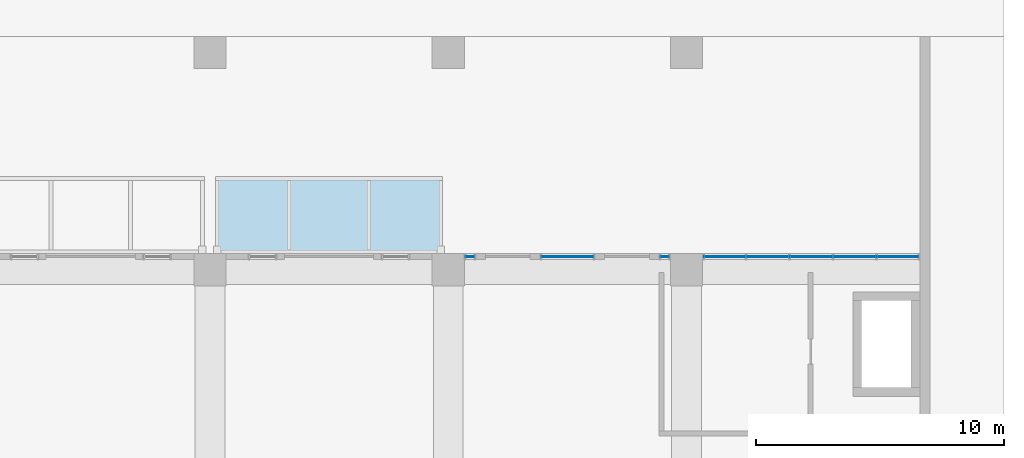
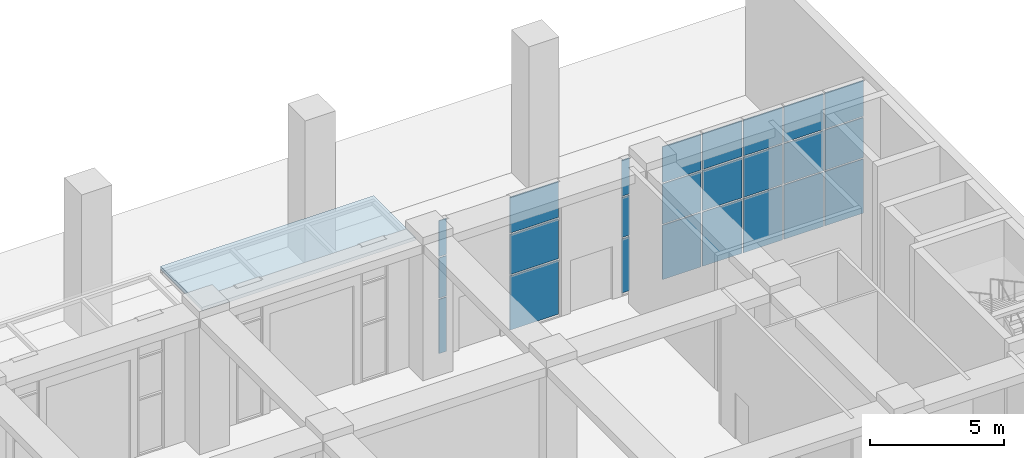
# One storey, part 15 of 45: 25 plates, 4 elements without a shape of their own.
"""IFC4 building model written with IfcOpenShell, lengths in metres."""

from ifc_helpers import new_model, si_unit, direction, frame, origin, origin_2d, place, context, subcontext, project, spatial, rectangle, extrude, material, layer, layer_set, type_object, element, aggregate, save


model = new_model("IFC4")

# Units and contexts
model_context = context("Model", 3, precision=1e-05, world=origin(), true_north=direction((0.0, 1.0)))
body_context = subcontext(model_context, "Body", "Model", "MODEL_VIEW")
ifc_project = project(units=[si_unit("LENGTHUNIT", "METRE"), si_unit("AREAUNIT", "SQUARE_METRE"), si_unit("VOLUMEUNIT", "CUBIC_METRE"), si_unit("PLANEANGLEUNIT", "RADIAN"), si_unit("MASSUNIT", "GRAM", prefix="KILO")], contexts=[model_context])

# Site, building, storey
site_placement = place(None, origin())
site = spatial("IfcSite", under=ifc_project, at=site_placement, CompositionType="ELEMENT")
building_placement = place(site_placement, origin())
building = spatial("IfcBuilding", under=site, at=building_placement, Name="Nzadi Deep Aquarium and Research Tower", CompositionType="ELEMENT")
storey_placement = place(building_placement, origin())
storey = spatial("IfcBuildingStorey", under=building, at=storey_placement, Name="G", CompositionType="ELEMENT", Elevation=0.0)

# Plate
ifc_material_1 = material(Name="Aluminium composite panel, dark graphite", Category="aluminium")
ifc_layer_1 = layer(ifc_material_1, 0.14990234375)
ifc_layer_set_1 = layer_set([ifc_layer_1], Name="Aluminium composite panel, dark graphite")
plate_type_1 = type_object("IfcPlateType", Name="Canopy plate aluminium composite graphite 150", PredefinedType="SHEET", material=ifc_layer_set_1)
plate_1_placement = place(storey_placement, frame((33.60009765625, 133.800048828125, 5.449951171875), z_axis=(0.0, 0.0, 1.0), x_axis=(1.0, 0.0, 0.0)))
element("IfcPlate", 1, at=plate_1_placement, inside=storey, type_object=plate_type_1, Name="Entrance canopy 2", PredefinedType="SHEET", context=body_context, shape_type="SweptSolid", body=[
    extrude(rectangle(XDim=9.14990234375, YDim=3.10009765625, at=origin_2d()), origin(), (0.0, 0.0, 1.0), 0.14990234375),
])

# Curtain wall, plates
ifc_material_2 = material(Name="Aluminium stick frame", Category="aluminium")
ifc_layer_2 = layer(ifc_material_2, 0.25)
ifc_layer_set_2 = layer_set([ifc_layer_2], Name="Aluminium stick frame")
curtain_wall_type = type_object("IfcCurtainWallType", Name="Curtain wall Stick 250", PredefinedType="NOTDEFINED", material=ifc_layer_set_2)
curtain_wall_1_placement = place(storey_placement, origin())
curtain_wall_1 = element("IfcCurtainWall", 2, at=curtain_wall_1_placement, inside=storey, type_object=curtain_wall_type, Name="Lobby stick glazing G", PredefinedType="NOTDEFINED")
ifc_material_3 = material(Name="Glass, deep ocean tint", Category="glass")
ifc_layer_3 = layer(ifc_material_3, 0.031982421875)
ifc_layer_set_3 = layer_set([ifc_layer_3], Name="Glass, deep ocean tint")
plate_type_2 = type_object("IfcPlateType", Name="Glazing panel 32 Stick", PredefinedType="CURTAIN_PANEL", material=ifc_layer_set_3)
plate_2_placement = place(storey_placement, frame((39.27490234375, 132.125, 0.06005859375), z_axis=(0.0, 0.0, 1.0), x_axis=(1.0, 0.0, 0.0)))
plate_2 = element("IfcPlate", 3, at=plate_2_placement, type_object=plate_type_2, Name="CW241 panel 1.1", PredefinedType="CURTAIN_PANEL", context=body_context, shape_type="SweptSolid", body=[
    extrude(rectangle(XDim=0.330078125, YDim=0.031982421875, at=origin_2d()), origin(), (0.0, 0.0, 1.0), 2.4599609375),
])
plate_3_placement = place(storey_placement, frame((39.27490234375, 132.125, 2.580078125), z_axis=(0.0, 0.0, 1.0), x_axis=(1.0, 0.0, 0.0)))
plate_3 = element("IfcPlate", 4, at=plate_3_placement, type_object=plate_type_2, Name="CW241 panel 1.2", PredefinedType="CURTAIN_PANEL", context=body_context, shape_type="SweptSolid", body=[
    extrude(rectangle(XDim=0.330078125, YDim=0.031982421875, at=origin_2d()), origin(), (0.0, 0.0, 1.0), 1.818115234375),
])
plate_4_placement = place(storey_placement, frame((39.27490234375, 132.125, 4.4580078125), z_axis=(0.0, 0.0, 1.0), x_axis=(1.0, 0.0, 0.0)))
plate_4 = element("IfcPlate", 5, at=plate_4_placement, type_object=plate_type_2, Name="CW241 panel 1.3", PredefinedType="CURTAIN_PANEL", context=body_context, shape_type="SweptSolid", body=[
    extrude(rectangle(XDim=0.330078125, YDim=0.031982421875, at=origin_2d()), origin(), (0.0, 0.0, 1.0), 1.632080078125),
])
aggregate(curtain_wall_1, [plate_2, plate_3, plate_4])

curtain_wall_2_placement = place(storey_placement, origin())
curtain_wall_2 = element("IfcCurtainWall", 6, at=curtain_wall_2_placement, inside=storey, type_object=curtain_wall_type, Name="Lobby stick glazing G", PredefinedType="NOTDEFINED")
plate_5_placement = place(storey_placement, frame((43.199951171875, 132.125, 0.06005859375), z_axis=(0.0, 0.0, 1.0), x_axis=(1.0, 0.0, 0.0)))
plate_5 = element("IfcPlate", 7, at=plate_5_placement, type_object=plate_type_2, Name="CW242 panel 1.1", PredefinedType="CURTAIN_PANEL", context=body_context, shape_type="SweptSolid", body=[
    extrude(rectangle(XDim=2.080078125, YDim=0.031982421875, at=origin_2d()), origin(), (0.0, 0.0, 1.0), 2.4599609375),
])
plate_6_placement = place(storey_placement, frame((43.199951171875, 132.125, 2.580078125), z_axis=(0.0, 0.0, 1.0), x_axis=(1.0, 0.0, 0.0)))
plate_6 = element("IfcPlate", 8, at=plate_6_placement, type_object=plate_type_2, Name="CW242 panel 1.2", PredefinedType="CURTAIN_PANEL", context=body_context, shape_type="SweptSolid", body=[
    extrude(rectangle(XDim=2.080078125, YDim=0.031982421875, at=origin_2d()), origin(), (0.0, 0.0, 1.0), 1.818115234375),
])
plate_7_placement = place(storey_placement, frame((43.199951171875, 132.125, 4.4580078125), z_axis=(0.0, 0.0, 1.0), x_axis=(1.0, 0.0, 0.0)))
plate_7 = element("IfcPlate", 9, at=plate_7_placement, type_object=plate_type_2, Name="CW242 panel 1.3", PredefinedType="CURTAIN_PANEL", context=body_context, shape_type="SweptSolid", body=[
    extrude(rectangle(XDim=2.080078125, YDim=0.031982421875, at=origin_2d()), origin(), (0.0, 0.0, 1.0), 1.632080078125),
])
aggregate(curtain_wall_2, [plate_5, plate_6, plate_7])

curtain_wall_3_placement = place(storey_placement, origin())
curtain_wall_3 = element("IfcCurtainWall", 10, at=curtain_wall_3_placement, inside=storey, type_object=curtain_wall_type, Name="Lobby stick glazing G", PredefinedType="NOTDEFINED")
plate_8_placement = place(storey_placement, frame((47.125, 132.125, 0.06005859375), z_axis=(0.0, 0.0, 1.0), x_axis=(1.0, 0.0, 0.0)))
plate_8 = element("IfcPlate", 11, at=plate_8_placement, type_object=plate_type_2, Name="CW243 panel 1.1", PredefinedType="CURTAIN_PANEL", context=body_context, shape_type="SweptSolid", body=[
    extrude(rectangle(XDim=0.330078125, YDim=0.031982421875, at=origin_2d()), origin(), (0.0, 0.0, 1.0), 2.4599609375),
])
plate_9_placement = place(storey_placement, frame((47.125, 132.125, 2.580078125), z_axis=(0.0, 0.0, 1.0), x_axis=(1.0, 0.0, 0.0)))
plate_9 = element("IfcPlate", 12, at=plate_9_placement, type_object=plate_type_2, Name="CW243 panel 1.2", PredefinedType="CURTAIN_PANEL", context=body_context, shape_type="SweptSolid", body=[
    extrude(rectangle(XDim=0.330078125, YDim=0.031982421875, at=origin_2d()), origin(), (0.0, 0.0, 1.0), 1.818115234375),
])
plate_10_placement = place(storey_placement, frame((47.125, 132.125, 4.4580078125), z_axis=(0.0, 0.0, 1.0), x_axis=(1.0, 0.0, 0.0)))
plate_10 = element("IfcPlate", 13, at=plate_10_placement, type_object=plate_type_2, Name="CW243 panel 1.3", PredefinedType="CURTAIN_PANEL", context=body_context, shape_type="SweptSolid", body=[
    extrude(rectangle(XDim=0.330078125, YDim=0.031982421875, at=origin_2d()), origin(), (0.0, 0.0, 1.0), 1.632080078125),
])
aggregate(curtain_wall_3, [plate_8, plate_9, plate_10])

curtain_wall_4_placement = place(storey_placement, origin())
curtain_wall_4 = element("IfcCurtainWall", 14, at=curtain_wall_4_placement, inside=storey, type_object=curtain_wall_type, Name="Lobby stick glazing G", PredefinedType="NOTDEFINED")
plate_11_placement = place(storey_placement, frame((49.5400390625, 132.125, 0.06005859375), z_axis=(0.0, 0.0, 1.0), x_axis=(1.0, 0.0, 0.0)))
plate_11 = element("IfcPlate", 15, at=plate_11_placement, type_object=plate_type_2, Name="CW247 panel 1.1", PredefinedType="CURTAIN_PANEL", context=body_context, shape_type="SweptSolid", body=[
    extrude(rectangle(XDim=1.659912109375, YDim=0.031982421875, at=origin_2d()), origin(), (0.0, 0.0, 1.0), 2.4599609375),
])
plate_12_placement = place(storey_placement, frame((49.5400390625, 132.125, 2.580078125), z_axis=(0.0, 0.0, 1.0), x_axis=(1.0, 0.0, 0.0)))
plate_12 = element("IfcPlate", 16, at=plate_12_placement, type_object=plate_type_2, Name="CW247 panel 1.2", PredefinedType="CURTAIN_PANEL", context=body_context, shape_type="SweptSolid", body=[
    extrude(rectangle(XDim=1.659912109375, YDim=0.031982421875, at=origin_2d()), origin(), (0.0, 0.0, 1.0), 1.818115234375),
])
plate_13_placement = place(storey_placement, frame((49.5400390625, 132.125, 4.4580078125), z_axis=(0.0, 0.0, 1.0), x_axis=(1.0, 0.0, 0.0)))
plate_13 = element("IfcPlate", 17, at=plate_13_placement, type_object=plate_type_2, Name="CW247 panel 1.3", PredefinedType="CURTAIN_PANEL", context=body_context, shape_type="SweptSolid", body=[
    extrude(rectangle(XDim=1.659912109375, YDim=0.031982421875, at=origin_2d()), origin(), (0.0, 0.0, 1.0), 1.632080078125),
])
plate_14_placement = place(storey_placement, frame((51.27490234375, 132.125, 0.06005859375), z_axis=(0.0, 0.0, 1.0), x_axis=(1.0, 0.0, 0.0)))
plate_14 = element("IfcPlate", 18, at=plate_14_placement, type_object=plate_type_2, Name="CW247 panel 2.1", PredefinedType="CURTAIN_PANEL", context=body_context, shape_type="SweptSolid", body=[
    extrude(rectangle(XDim=1.68994140625, YDim=0.031982421875, at=origin_2d()), origin(), (0.0, 0.0, 1.0), 2.4599609375),
])
plate_15_placement = place(storey_placement, frame((51.27490234375, 132.125, 2.580078125), z_axis=(0.0, 0.0, 1.0), x_axis=(1.0, 0.0, 0.0)))
plate_15 = element("IfcPlate", 19, at=plate_15_placement, type_object=plate_type_2, Name="CW247 panel 2.2", PredefinedType="CURTAIN_PANEL", context=body_context, shape_type="SweptSolid", body=[
    extrude(rectangle(XDim=1.68994140625, YDim=0.031982421875, at=origin_2d()), origin(), (0.0, 0.0, 1.0), 1.818115234375),
])
plate_16_placement = place(storey_placement, frame((51.27490234375, 132.125, 4.4580078125), z_axis=(0.0, 0.0, 1.0), x_axis=(1.0, 0.0, 0.0)))
plate_16 = element("IfcPlate", 20, at=plate_16_placement, type_object=plate_type_2, Name="CW247 panel 2.3", PredefinedType="CURTAIN_PANEL", context=body_context, shape_type="SweptSolid", body=[
    extrude(rectangle(XDim=1.68994140625, YDim=0.031982421875, at=origin_2d()), origin(), (0.0, 0.0, 1.0), 1.632080078125),
])
plate_17_placement = place(storey_placement, frame((53.02490234375, 132.125, 0.06005859375), z_axis=(0.0, 0.0, 1.0), x_axis=(1.0, 0.0, 0.0)))
plate_17 = element("IfcPlate", 21, at=plate_17_placement, type_object=plate_type_2, Name="CW247 panel 3.1", PredefinedType="CURTAIN_PANEL", context=body_context, shape_type="SweptSolid", body=[
    extrude(rectangle(XDim=1.68994140625, YDim=0.031982421875, at=origin_2d()), origin(), (0.0, 0.0, 1.0), 2.4599609375),
])
plate_18_placement = place(storey_placement, frame((53.02490234375, 132.125, 2.580078125), z_axis=(0.0, 0.0, 1.0), x_axis=(1.0, 0.0, 0.0)))
plate_18 = element("IfcPlate", 22, at=plate_18_placement, type_object=plate_type_2, Name="CW247 panel 3.2", PredefinedType="CURTAIN_PANEL", context=body_context, shape_type="SweptSolid", body=[
    extrude(rectangle(XDim=1.68994140625, YDim=0.031982421875, at=origin_2d()), origin(), (0.0, 0.0, 1.0), 1.818115234375),
])
plate_19_placement = place(storey_placement, frame((53.02490234375, 132.125, 4.4580078125), z_axis=(0.0, 0.0, 1.0), x_axis=(1.0, 0.0, 0.0)))
plate_19 = element("IfcPlate", 23, at=plate_19_placement, type_object=plate_type_2, Name="CW247 panel 3.3", PredefinedType="CURTAIN_PANEL", context=body_context, shape_type="SweptSolid", body=[
    extrude(rectangle(XDim=1.68994140625, YDim=0.031982421875, at=origin_2d()), origin(), (0.0, 0.0, 1.0), 1.632080078125),
])
plate_20_placement = place(storey_placement, frame((54.77490234375, 132.125, 0.06005859375), z_axis=(0.0, 0.0, 1.0), x_axis=(1.0, 0.0, 0.0)))
plate_20 = element("IfcPlate", 24, at=plate_20_placement, type_object=plate_type_2, Name="CW247 panel 4.1", PredefinedType="CURTAIN_PANEL", context=body_context, shape_type="SweptSolid", body=[
    extrude(rectangle(XDim=1.68994140625, YDim=0.031982421875, at=origin_2d()), origin(), (0.0, 0.0, 1.0), 2.4599609375),
])
plate_21_placement = place(storey_placement, frame((54.77490234375, 132.125, 2.580078125), z_axis=(0.0, 0.0, 1.0), x_axis=(1.0, 0.0, 0.0)))
plate_21 = element("IfcPlate", 25, at=plate_21_placement, type_object=plate_type_2, Name="CW247 panel 4.2", PredefinedType="CURTAIN_PANEL", context=body_context, shape_type="SweptSolid", body=[
    extrude(rectangle(XDim=1.68994140625, YDim=0.031982421875, at=origin_2d()), origin(), (0.0, 0.0, 1.0), 1.818115234375),
])
plate_22_placement = place(storey_placement, frame((54.77490234375, 132.125, 4.4580078125), z_axis=(0.0, 0.0, 1.0), x_axis=(1.0, 0.0, 0.0)))
plate_22 = element("IfcPlate", 26, at=plate_22_placement, type_object=plate_type_2, Name="CW247 panel 4.3", PredefinedType="CURTAIN_PANEL", context=body_context, shape_type="SweptSolid", body=[
    extrude(rectangle(XDim=1.68994140625, YDim=0.031982421875, at=origin_2d()), origin(), (0.0, 0.0, 1.0), 1.632080078125),
])
plate_23_placement = place(storey_placement, frame((56.510009765625, 132.125, 0.06005859375), z_axis=(0.0, 0.0, 1.0), x_axis=(1.0, 0.0, 0.0)))
plate_23 = element("IfcPlate", 27, at=plate_23_placement, type_object=plate_type_2, Name="CW247 panel 5.1", PredefinedType="CURTAIN_PANEL", context=body_context, shape_type="SweptSolid", body=[
    extrude(rectangle(XDim=1.659912109375, YDim=0.031982421875, at=origin_2d()), origin(), (0.0, 0.0, 1.0), 2.4599609375),
])
plate_24_placement = place(storey_placement, frame((56.510009765625, 132.125, 2.580078125), z_axis=(0.0, 0.0, 1.0), x_axis=(1.0, 0.0, 0.0)))
plate_24 = element("IfcPlate", 28, at=plate_24_placement, type_object=plate_type_2, Name="CW247 panel 5.2", PredefinedType="CURTAIN_PANEL", context=body_context, shape_type="SweptSolid", body=[
    extrude(rectangle(XDim=1.659912109375, YDim=0.031982421875, at=origin_2d()), origin(), (0.0, 0.0, 1.0), 1.818115234375),
])
plate_25_placement = place(storey_placement, frame((56.510009765625, 132.125, 4.4580078125), z_axis=(0.0, 0.0, 1.0), x_axis=(1.0, 0.0, 0.0)))
plate_25 = element("IfcPlate", 29, at=plate_25_placement, type_object=plate_type_2, Name="CW247 panel 5.3", PredefinedType="CURTAIN_PANEL", context=body_context, shape_type="SweptSolid", body=[
    extrude(rectangle(XDim=1.659912109375, YDim=0.031982421875, at=origin_2d()), origin(), (0.0, 0.0, 1.0), 1.632080078125),
])
aggregate(curtain_wall_4, [plate_11, plate_12, plate_13, plate_14, plate_15, plate_16, plate_17, plate_18, plate_19, plate_20, plate_21, plate_22, plate_23, plate_24, plate_25])

save(model, "model.ifc")
